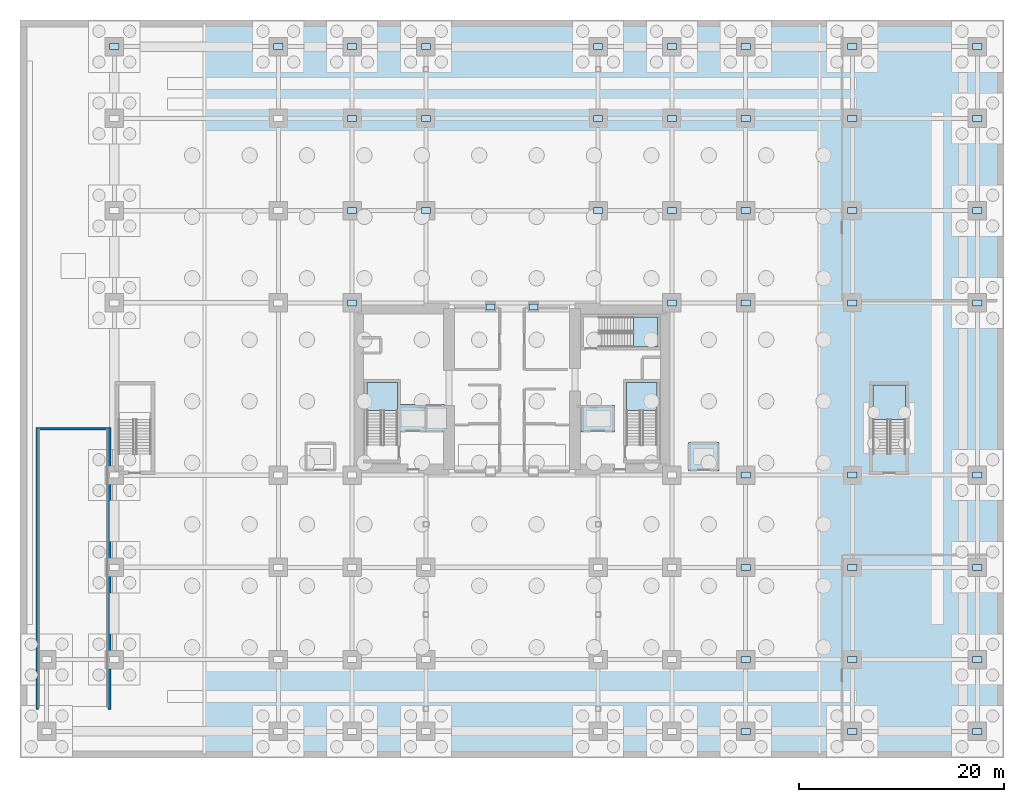
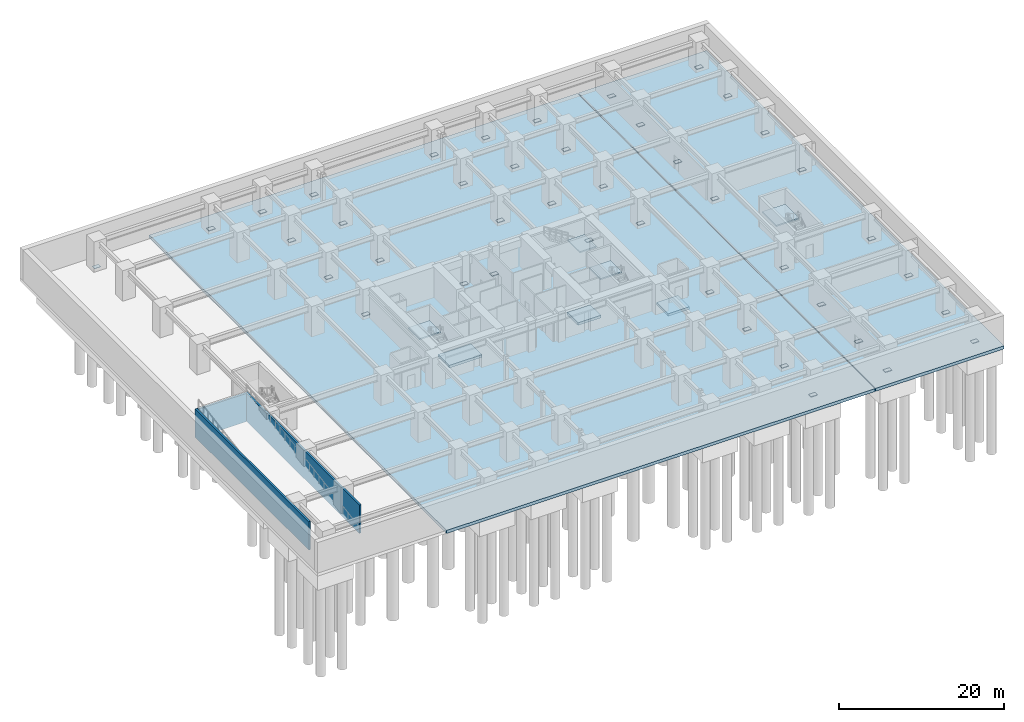
# One storey, part 8 of 23: 42 plates, 9 slabs, 3 walls, 4 elements without a shape of their own.
"""IFC4 building model written with IfcOpenShell, lengths in metres."""

from ifc_helpers import new_model, si_unit, direction, frame, frame_2d, origin, origin_2d, place, context, subcontext, project, spatial, polyline, rectangle, outline, extrude, material, layer, layer_set, type_object, element, aggregate, save


model = new_model("IFC4")

# Units and contexts
model_context = context("Model", 3, precision=1e-05, world=origin(), true_north=direction((0.0, 1.0)))
body_context = subcontext(model_context, "Body", "Model", "MODEL_VIEW")
ifc_project = project(units=[si_unit("LENGTHUNIT", "METRE"), si_unit("AREAUNIT", "SQUARE_METRE"), si_unit("VOLUMEUNIT", "CUBIC_METRE"), si_unit("PLANEANGLEUNIT", "RADIAN"), si_unit("MASSUNIT", "GRAM", prefix="KILO")], contexts=[model_context])

# Site, building, storey
site_placement = place(None, origin())
site = spatial("IfcSite", under=ifc_project, at=site_placement, CompositionType="ELEMENT")
building_placement = place(site_placement, origin())
building = spatial("IfcBuilding", under=site, at=building_placement, Name="Kiyonajd Concourse Tower", CompositionType="ELEMENT")
storey_placement = place(building_placement, frame((0.0, 0.0, -9.0)))
storey = spatial("IfcBuildingStorey", under=building, at=storey_placement, Name="B2", CompositionType="ELEMENT", Elevation=-9.0)

# Plates
ifc_material_1 = material(Name="Steel ASTM A572 Grade 50", Category="steel")
ifc_layer_1 = layer(ifc_material_1, 0.050048828125)
ifc_layer_set_1 = layer_set([ifc_layer_1], Name="Steel ASTM A572 Grade 50")
plate_type = type_object("IfcPlateType", Name="PL-BASE-900", PredefinedType="SHEET", material=ifc_layer_set_1)
for number, where, z_axis, x_axis, name in (
    (1, (9.199951171875, 69.39990234375, 0.0), (0.0, 0.0, 1.0), (1.0, 0.0, 0.0), "B2 Mega Column Anchor Base Plate"),
    (2, (25.199951171875, 69.39990234375, 0.0), (0.0, 0.0, 1.0), (1.0, 0.0, 0.0), "B2 Mega Column Anchor Base Plate"),
    (3, (32.39990234375, 44.39990234375, 0.0), (0.0, 0.0, 1.0), (1.0, 0.0, 0.0), "B2 Mega Column Anchor Base Plate"),
    (4, (32.39990234375, 53.39990234375, 0.0), (0.0, 0.0, 1.0), (1.0, 0.0, 0.0), "B2 Mega Column Anchor Base Plate"),
    (5, (32.39990234375, 62.39990234375, 0.0), (0.0, 0.0, 1.0), (1.0, 0.0, 0.0), "B2 Mega Column Anchor Base Plate"),
    (6, (32.39990234375, 69.39990234375, 0.0), (0.0, 0.0, 1.0), (1.0, 0.0, 0.0), "B2 Mega Column Anchor Base Plate"),
    (7, (39.60009765625, 53.39990234375, 0.0), (0.0, 0.0, 1.0), (1.0, 0.0, 0.0), "B2 Mega Column Anchor Base Plate"),
    (8, (39.60009765625, 62.39990234375, 0.0), (0.0, 0.0, 1.0), (1.0, 0.0, 0.0), "B2 Mega Column Anchor Base Plate"),
    (9, (39.60009765625, 69.39990234375, 0.0), (0.0, 0.0, 1.0), (1.0, 0.0, 0.0), "B2 Mega Column Anchor Base Plate"),
    (10, (56.39990234375, 53.39990234375, 0.0), (0.0, 0.0, 1.0), (1.0, 0.0, 0.0), "B2 Mega Column Anchor Base Plate"),
    (11, (56.39990234375, 62.39990234375, 0.0), (0.0, 0.0, 1.0), (1.0, 0.0, 0.0), "B2 Mega Column Anchor Base Plate"),
    (12, (56.39990234375, 69.39990234375, 0.0), (0.0, 0.0, 1.0), (1.0, 0.0, 0.0), "B2 Mega Column Anchor Base Plate"),
    (13, (63.60009765625, 44.39990234375, 0.0), (0.0, 0.0, 1.0), (1.0, 0.0, 0.0), "B2 Mega Column Anchor Base Plate"),
    (14, (63.60009765625, 53.39990234375, 0.0), (0.0, 0.0, 1.0), (1.0, 0.0, 0.0), "B2 Mega Column Anchor Base Plate"),
    (15, (63.60009765625, 62.39990234375, 0.0), (0.0, 0.0, 1.0), (1.0, 0.0, 0.0), "B2 Mega Column Anchor Base Plate"),
    (16, (63.60009765625, 69.39990234375, 0.0), (0.0, 0.0, 1.0), (1.0, 0.0, 0.0), "B2 Mega Column Anchor Base Plate"),
    (17, (70.800048828125, 2.60009765625, 0.0), (0.0, 0.0, 1.0), (1.0, 0.0, 0.0), "B2 Mega Column Anchor Base Plate"),
    (18, (70.800048828125, 9.60009765625, 0.0), (0.0, 0.0, 1.0), (1.0, 0.0, 0.0), "B2 Mega Column Anchor Base Plate"),
    (19, (70.800048828125, 18.60009765625, 0.0), (0.0, 0.0, 1.0), (1.0, 0.0, 0.0), "B2 Mega Column Anchor Base Plate"),
    (20, (70.800048828125, 27.60009765625, 0.0), (0.0, 0.0, 1.0), (1.0, 0.0, 0.0), "B2 Mega Column Anchor Base Plate"),
    (21, (70.800048828125, 44.39990234375, 0.0), (0.0, 0.0, 1.0), (1.0, 0.0, 0.0), "B2 Mega Column Anchor Base Plate"),
    (22, (70.800048828125, 53.39990234375, 0.0), (0.0, 0.0, 1.0), (1.0, 0.0, 0.0), "B2 Mega Column Anchor Base Plate"),
    (23, (70.800048828125, 62.39990234375, 0.0), (0.0, 0.0, 1.0), (1.0, 0.0, 0.0), "B2 Mega Column Anchor Base Plate"),
    (24, (70.800048828125, 69.39990234375, 0.0), (0.0, 0.0, 1.0), (1.0, 0.0, 0.0), "B2 Mega Column Anchor Base Plate"),
    (25, (81.199951171875, 2.60009765625, 0.0), (0.0, 0.0, 1.0), (1.0, 0.0, 0.0), "B2 Mega Column Anchor Base Plate"),
    (26, (81.199951171875, 9.60009765625, 0.0), (0.0, 0.0, 1.0), (1.0, 0.0, 0.0), "B2 Mega Column Anchor Base Plate"),
    (27, (81.199951171875, 18.60009765625, 0.0), (0.0, 0.0, 1.0), (1.0, 0.0, 0.0), "B2 Mega Column Anchor Base Plate"),
    (28, (81.199951171875, 27.60009765625, 0.0), (0.0, 0.0, 1.0), (1.0, 0.0, 0.0), "B2 Mega Column Anchor Base Plate"),
    (29, (81.199951171875, 44.39990234375, 0.0), (0.0, 0.0, 1.0), (1.0, 0.0, 0.0), "B2 Mega Column Anchor Base Plate"),
    (30, (81.199951171875, 53.39990234375, 0.0), (0.0, 0.0, 1.0), (1.0, 0.0, 0.0), "B2 Mega Column Anchor Base Plate"),
    (31, (81.199951171875, 62.39990234375, 0.0), (0.0, 0.0, 1.0), (1.0, 0.0, 0.0), "B2 Mega Column Anchor Base Plate"),
    (32, (81.199951171875, 69.39990234375, 0.0), (0.0, 0.0, 1.0), (1.0, 0.0, 0.0), "B2 Mega Column Anchor Base Plate"),
    (33, (93.39990234375, 2.60009765625, 0.0), (0.0, 0.0, 1.0), (1.0, 0.0, 0.0), "B2 Mega Column Anchor Base Plate"),
    (34, (93.39990234375, 9.60009765625, 0.0), (0.0, 0.0, 1.0), (1.0, 0.0, 0.0), "B2 Mega Column Anchor Base Plate"),
    (35, (93.39990234375, 18.60009765625, 0.0), (0.0, 0.0, 1.0), (1.0, 0.0, 0.0), "B2 Mega Column Anchor Base Plate"),
    (36, (93.39990234375, 27.60009765625, 0.0), (0.0, 0.0, 1.0), (1.0, 0.0, 0.0), "B2 Mega Column Anchor Base Plate"),
    (37, (93.39990234375, 44.39990234375, 0.0), (0.0, 0.0, 1.0), (1.0, 0.0, 0.0), "B2 Mega Column Anchor Base Plate"),
    (38, (93.39990234375, 53.39990234375, 0.0), (0.0, 0.0, 1.0), (1.0, 0.0, 0.0), "B2 Mega Column Anchor Base Plate"),
    (39, (93.39990234375, 62.39990234375, 0.0), (0.0, 0.0, 1.0), (1.0, 0.0, 0.0), "B2 Mega Column Anchor Base Plate"),
    (40, (93.39990234375, 69.39990234375, 0.0), (0.0, 0.0, 1.0), (1.0, 0.0, 0.0), "B2 Mega Column Anchor Base Plate"),
    (41, (45.89990234375, 44.0, 0.0), (0.0, 0.0, 1.0), (1.0, 0.0, 0.0), "B2 Mega Column Anchor Base Plate"),
    (42, (50.10009765625, 44.0, 0.0), (0.0, 0.0, 1.0), (1.0, 0.0, 0.0), "B2 Mega Column Anchor Base Plate"),
):
    element("IfcPlate", number, at=place(storey_placement, frame(where, z_axis=z_axis, x_axis=x_axis)), inside=storey, type_object=plate_type, Name=name, PredefinedType="SHEET", context=body_context, shape_type="SweptSolid", body=[
        extrude(rectangle(XDim=0.89990234375, YDim=0.60009765625, at=origin_2d()), origin(), (0.0, 0.0, 1.0), 0.050048828125),
    ])

# Slabs
ifc_material_2 = material(Name="Concrete C50/60", Category="concrete")
ifc_layer_2 = layer(ifc_material_2, 0.449951171875)
ifc_layer_set_2 = layer_set([ifc_layer_2], Name="Concrete C50/60")
slab_type_1 = type_object("IfcSlabType", Name="SL-BASE-450", PredefinedType="BASESLAB", material=ifc_layer_set_2)
slab_1_placement = place(storey_placement, frame((0.0, 0.0, -0.449951171875)))
element("IfcSlab", 43, at=slab_1_placement, inside=storey, type_object=slab_type_1, Name="B2 Central Tower Zone Structural Base Slab", PredefinedType="BASESLAB", context=body_context, shape_type="SweptSolid", body=[
    extrude(outline(polyline([(18.06005859375, 0.0), (77.93994140625, 0.0), (77.93994140625, 72.0), (18.06005859375, 72.0), (18.06005859375, 0.0)])), origin(), (0.0, 0.0, 1.0), 0.449951171875),
])
slab_2_placement = place(storey_placement, frame((0.0, 0.0, -0.449951171875)))
element("IfcSlab", 44, at=slab_2_placement, inside=storey, type_object=slab_type_1, Name="B2 East Wing Structural Base Slab", PredefinedType="BASESLAB", context=body_context, shape_type="SweptSolid", body=[
    extrude(outline(polyline([(78.06005859375, 0.0), (96.0, 0.0), (96.0, 72.0), (78.06005859375, 72.0), (78.06005859375, 0.0)])), origin(), (0.0, 0.0, 1.0), 0.449951171875),
])

# Stair, slab
ifc_material_3 = material(Name="Concrete C40/50", Category="concrete")
stair_type_1 = type_object("IfcStairType", Name="ST-DLG-26R", PredefinedType="HALF_TURN_STAIR", material=ifc_material_3)
stair_1_placement = place(storey_placement, origin())
stair_1 = element("IfcStair", 45, at=stair_1_placement, inside=storey, type_object=stair_type_1, Name="B2 Protected Exit Stair ST1", PredefinedType="HALF_TURN_STAIR")
ifc_layer_3 = layer(ifc_material_3, 0.199951171875)
ifc_layer_set_3 = layer_set([ifc_layer_3], Name="Concrete C40/50")
slab_type_2 = type_object("IfcSlabType", Name="SL-LND-200", PredefinedType="LANDING", material=ifc_layer_set_3)
slab_3_placement = place(storey_placement, frame((0.0, 0.0, 2.050048828125)))
slab_3 = element("IfcSlab", 46, at=slab_3_placement, type_object=slab_type_2, Name="ST1 landing 1", PredefinedType="LANDING", context=body_context, shape_type="SweptSolid", body=[
    extrude(outline(polyline([(36.85009765625, 33.909912109375), (36.85009765625, 36.64990234375), (33.85009765625, 36.64990234375), (33.85009765625, 33.909912109375), (36.85009765625, 33.909912109375)])), origin(), (0.0, 0.0, 1.0), 0.199951171875),
])
aggregate(stair_1, [slab_3])

stair_2_placement = place(storey_placement, origin())
stair_2 = element("IfcStair", 47, at=stair_2_placement, inside=storey, type_object=stair_type_1, Name="B2 Protected Exit Stair ST2", PredefinedType="HALF_TURN_STAIR")
slab_4_placement = place(storey_placement, frame((0.0, 0.0, 2.050048828125)))
slab_4 = element("IfcSlab", 48, at=slab_4_placement, type_object=slab_type_2, Name="ST2 landing 1", PredefinedType="LANDING", context=body_context, shape_type="SweptSolid", body=[
    extrude(outline(polyline([(62.14990234375, 33.909912109375), (62.14990234375, 36.64990234375), (59.14990234375, 36.64990234375), (59.14990234375, 33.909912109375), (62.14990234375, 33.909912109375)])), origin(), (0.0, 0.0, 1.0), 0.199951171875),
])
aggregate(stair_2, [slab_4])

stair_3_placement = place(storey_placement, origin())
stair_3 = element("IfcStair", 49, at=stair_3_placement, inside=storey, type_object=stair_type_1, Name="B2 Protected Exit Stair ST3", PredefinedType="HALF_TURN_STAIR")
slab_5_placement = place(storey_placement, frame((0.0, 0.0, 2.050048828125)))
slab_5 = element("IfcSlab", 50, at=slab_5_placement, type_object=slab_type_2, Name="ST3 landing 1", PredefinedType="LANDING", context=body_context, shape_type="SweptSolid", body=[
    extrude(outline(polyline([(59.840087890625, 40.080078125), (62.179931640625, 40.080078125), (62.179931640625, 43.02001953125), (59.840087890625, 43.02001953125), (59.840087890625, 40.080078125)])), origin(), (0.0, 0.0, 1.0), 0.199951171875),
])
aggregate(stair_3, [slab_5])

stair_type_2 = type_object("IfcStairType", Name="ST-POD-1500", PredefinedType="HALF_TURN_STAIR", material=ifc_material_3)
stair_4_placement = place(storey_placement, origin())
stair_4 = element("IfcStair", 51, at=stair_4_placement, inside=storey, type_object=stair_type_2, Name="B2 East Podium Exit Stair ST5", PredefinedType="HALF_TURN_STAIR")
slab_6_placement = place(storey_placement, frame((0.0, 0.0, 2.050048828125)))
slab_6 = element("IfcSlab", 52, at=slab_6_placement, type_object=slab_type_2, Name="ST5 landing 1", PredefinedType="LANDING", context=body_context, shape_type="SweptSolid", body=[
    extrude(outline(polyline([(86.39990234375, 33.010009765625), (86.39990234375, 36.39990234375), (83.199951171875, 36.39990234375), (83.199951171875, 33.010009765625), (86.39990234375, 33.010009765625)])), origin(), (0.0, 0.0, 1.0), 0.199951171875),
])
aggregate(stair_4, [slab_6])

# Slabs
ifc_layer_4 = layer(ifc_material_2, 0.3798828125)
ifc_layer_set_4 = layer_set([ifc_layer_4], Name="Concrete C50/60")
slab_type_3 = type_object("IfcSlabType", Name="SL-PIT-380", PredefinedType="BASESLAB", material=ifc_layer_set_4)
slab_7_placement = place(storey_placement, frame((0.0, 0.0, -1.85009765625)))
element("IfcSlab", 53, at=slab_7_placement, inside=storey, type_object=slab_type_3, Name="B2 Elevator Pit Slab 01", PredefinedType="BASESLAB", context=body_context, shape_type="SweptSolid", body=[
    extrude(outline(polyline([(36.800048828125, 31.800048828125), (41.39990234375, 31.800048828125), (41.39990234375, 34.5), (36.800048828125, 34.5), (36.800048828125, 31.800048828125)])), origin(), (0.0, 0.0, 1.0), 0.380126953125),
])
slab_8_placement = place(storey_placement, frame((0.0, 0.0, -1.85009765625)))
element("IfcSlab", 54, at=slab_8_placement, inside=storey, type_object=slab_type_3, Name="B2 Elevator Pit Slab 02", PredefinedType="BASESLAB", context=body_context, shape_type="SweptSolid", body=[
    extrude(outline(polyline([(54.800048828125, 31.800048828125), (58.0, 31.800048828125), (58.0, 34.39990234375), (54.800048828125, 34.39990234375), (54.800048828125, 31.800048828125)])), origin(), (0.0, 0.0, 1.0), 0.380126953125),
])
slab_9_placement = place(storey_placement, frame((0.0, 0.0, -1.85009765625)))
element("IfcSlab", 55, at=slab_9_placement, inside=storey, type_object=slab_type_3, Name="B2 Elevator Pit Slab 05", PredefinedType="BASESLAB", context=body_context, shape_type="SweptSolid", body=[
    extrude(outline(polyline([(65.199951171875, 28.0), (68.199951171875, 28.0), (68.199951171875, 30.800048828125), (65.199951171875, 30.800048828125), (65.199951171875, 28.0)])), origin(), (0.0, 0.0, 1.0), 0.380126953125),
])

# Walls
ifc_layer_5 = layer(ifc_material_2, 0.260009765625)
ifc_layer_set_5 = layer_set([ifc_layer_5], Name="Concrete C50/60")
wall_type = type_object("IfcWallType", Name="WL-STAIR-260", PredefinedType="SHEAR", material=ifc_layer_set_5)
for number, where, z_axis, x_axis, name in (
    (56, (1.669921875, 4.739990234375, 0.0), (0.0, 0.0, 1.0), (0.0, 1.0, 0.0), "B2 Vehicle Ramp West Structural Wall"),
    (57, (8.72998046875, 4.739990234375, 0.0), (0.0, 0.0, 1.0), (0.0, 1.0, 0.0), "B2 Vehicle Ramp East Structural Wall"),
):
    element("IfcWall", number, at=place(storey_placement, frame(where, z_axis=z_axis, x_axis=x_axis)), inside=storey, type_object=wall_type, Name=name, PredefinedType="SHEAR", context=body_context, shape_type="SweptSolid", body=[
        extrude(rectangle(XDim=27.52001953125, YDim=0.260009765625, at=frame_2d((13.760009765625, 0.0))), origin(), (0.0, 0.0, 1.0), 4.179931640625),
    ])
wall_placement = place(storey_placement, frame((1.800048828125, 32.1298828125, 0.0), z_axis=(0.0, 0.0, 1.0), x_axis=(1.0, 0.0, 0.0)))
element("IfcWall", 58, at=wall_placement, inside=storey, type_object=wall_type, Name="B2 Vehicle Ramp Top Landing Wall", PredefinedType="SHEAR", context=body_context, shape_type="SweptSolid", body=[
    extrude(rectangle(XDim=6.800048828125, YDim=0.260009765625, at=frame_2d((3.39990234375, 0.0))), origin(), (0.0, 0.0, 1.0), 4.179931640625),
])

save(model, "model.ifc")
